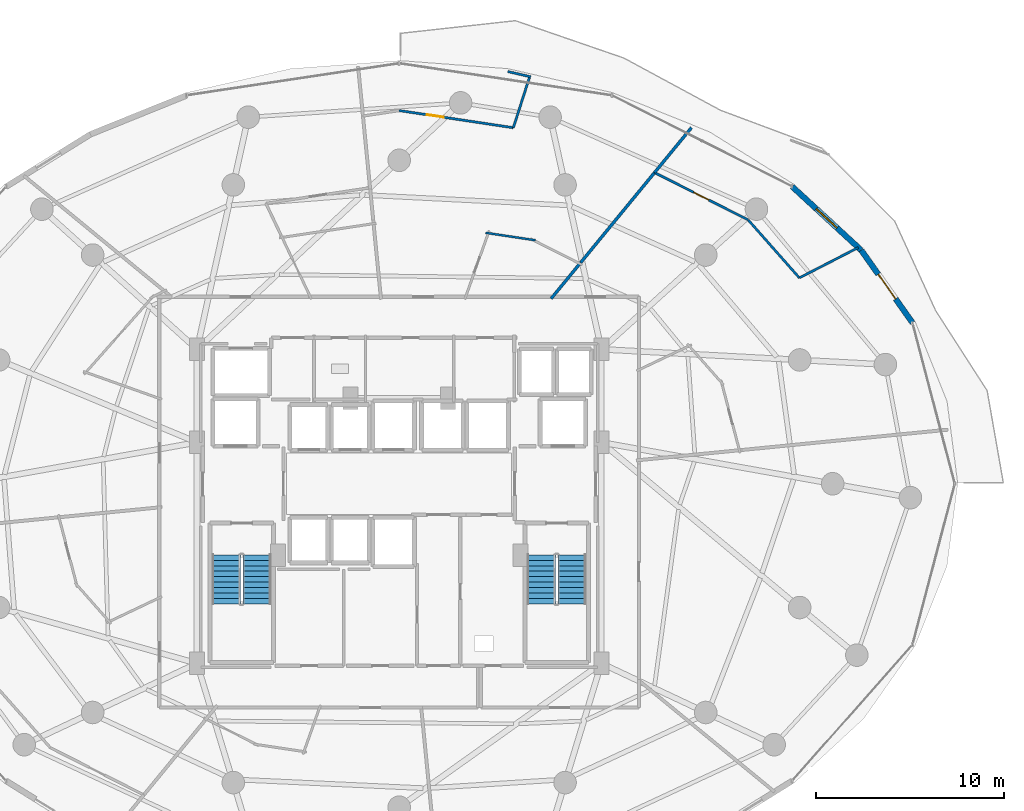
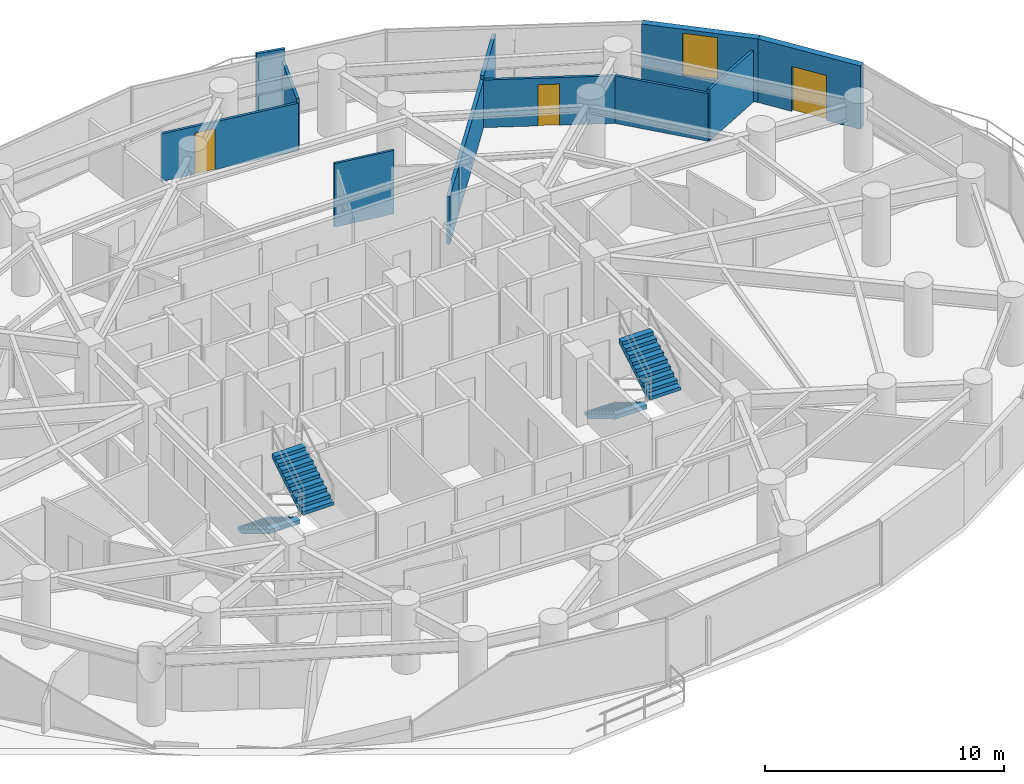
# One storey, part 30 of 33: 12 walls, 4 stair flights, 3 doors, 1 window, 4 openings, 2 elements without a shape of their own.
"""IFC4 building model written with IfcOpenShell, lengths in metres."""

from ifc_helpers import new_model, si_unit, direction, frame, frame_2d, origin, place, context, subcontext, project, spatial, polyline, rectangle, outline, extrude, material, layer, layer_set, type_object, element, fill, aggregate, save


model = new_model("IFC4")

# Units and contexts
model_context = context("Model", 3, precision=1e-05, world=origin(), true_north=direction((0.0, 1.0)))
body_context = subcontext(model_context, "Body", "Model", "MODEL_VIEW")
ifc_project = project(units=[si_unit("LENGTHUNIT", "METRE"), si_unit("AREAUNIT", "SQUARE_METRE"), si_unit("VOLUMEUNIT", "CUBIC_METRE"), si_unit("PLANEANGLEUNIT", "RADIAN"), si_unit("MASSUNIT", "GRAM", prefix="KILO")], contexts=[model_context])

# Site, building, storey
site_placement = place(None, origin())
site = spatial("IfcSite", under=ifc_project, at=site_placement, CompositionType="ELEMENT")
building_placement = place(site_placement, origin())
building = spatial("IfcBuilding", under=site, at=building_placement, Name="Vorneva Point Tower", CompositionType="ELEMENT")
storey_placement = place(building_placement, frame((0.0, 0.0, 59.0)))
storey = spatial("IfcBuildingStorey", under=building, at=storey_placement, Name="L15", CompositionType="ELEMENT", Elevation=59.0)

# Wall, opening, door
ifc_material_1 = material(Name="Precast concrete B50 (C40/50)", Category="concrete")
ifc_layer_1 = layer(ifc_material_1, 0.300048828125)
ifc_layer_set_1 = layer_set([ifc_layer_1], Name="Precast concrete B50 (C40/50)")
wall_type_1 = type_object("IfcWallType", Name="WL-EXT-300", PredefinedType="STANDARD", material=ifc_layer_set_1)
wall_1_placement = place(storey_placement, frame((65.300537109375, 34.552978515625, 0.0), z_axis=(0.0, 0.0, 1.0), x_axis=(-0.577130815624, 0.816651713803, 0.0)))
wall_1 = element("IfcWall", 1, at=wall_1_placement, inside=storey, type_object=wall_type_1, Name="L15 Pale-Metal Facade Spandrel Wall 02.1", PredefinedType="STANDARD", context=body_context, shape_type="SweptSolid", body=[
    extrude(rectangle(XDim=4.7314453125, YDim=0.300048828125, at=frame_2d((2.36572265625, 0.0))), origin(), (0.0, 0.0, 1.0), 3.239990234375),
])
opening_1_placement = place(wall_1_placement, frame((1.56591796875, 0.0, 0.0)))
opening_1 = element("IfcOpeningElement", 2, at=opening_1_placement, cuts=wall_1, Name="Opening BD-01", PredefinedType="OPENING", context=body_context, shape_type="SweptSolid", body=[
    extrude(rectangle(XDim=1.60009765625, YDim=2.300048828125, at=frame_2d((0.800048828125, 1.14990234375))), frame((0.0, 0.1650390625, 0.0), z_axis=(0.0, -1.0, 0.0), x_axis=(1.0, 0.0, 0.0)), (0.0, 0.0, 1.0), 0.329833984375),
])
ifc_material_2 = material(Name="Pale anodised aluminium", Category="aluminium")
door_type_1 = type_object("IfcDoorType", Name="DR-BAL-1600", OperationType="SLIDING_TO_LEFT", PredefinedType="DOOR", material=ifc_material_2)
door_1_placement = place(opening_1_placement, origin())
door_1 = element("IfcDoor", 3, at=door_1_placement, inside=storey, type_object=door_type_1, Name="L15 Balcony Terrace Access Door 02", OperationType="SLIDING_TO_LEFT", OverallHeight=2.300048828125, OverallWidth=1.60009765625, PredefinedType="DOOR", context=body_context, shape_type="SweptSolid", body=[
    extrude(rectangle(XDim=1.60009765625, YDim=2.300048828125, at=frame_2d((0.800048828125, 1.14990234375))), frame((0.0, 0.02490234375, 0.0), z_axis=(0.0, -1.0, 0.0), x_axis=(1.0, 0.0, 0.0)), (0.0, 0.0, 1.0), 0.050048828125),
])
fill(opening_1, door_1)

# Wall, opening, window
wall_2_placement = place(storey_placement, frame((62.56982421875, 38.4169921875, 0.0), z_axis=(0.0, 0.0, 1.0), x_axis=(-0.735342629635, 0.677695519419, 0.0)))
wall_2 = element("IfcWall", 4, at=wall_2_placement, inside=storey, type_object=wall_type_1, Name="L15 Pale-Metal Facade Spandrel Wall 02.2", PredefinedType="STANDARD", context=body_context, shape_type="SweptSolid", body=[
    extrude(rectangle(XDim=4.997314453125, YDim=0.300048828125, at=frame_2d((2.49853515625, 0.0))), origin(), (0.0, 0.0, 1.0), 3.239990234375),
])
opening_2_placement = place(wall_2_placement, frame((1.748779296875, 0.0, 0.85009765625)))
opening_2 = element("IfcOpeningElement", 5, at=opening_2_placement, cuts=wall_2, Name="Opening W-02", PredefinedType="OPENING", context=body_context, shape_type="SweptSolid", body=[
    extrude(rectangle(XDim=1.5, YDim=2.18994140625, at=frame_2d((0.75, 1.094970703125))), frame((0.0, 0.1650390625, 0.0), z_axis=(0.0, -1.0, 0.0), x_axis=(1.0, 0.0, 0.0)), (0.0, 0.0, 1.0), 0.329833984375),
])
ifc_material_3 = material(Name="Double low-e laminated glass IGU", Category="glass")
window_type = type_object("IfcWindowType", Name="WN-HTL-1500", PartitioningType="SINGLE_PANEL", PredefinedType="WINDOW", material=ifc_material_3)
window_placement = place(opening_2_placement, origin())
window = element("IfcWindow", 6, at=window_placement, inside=storey, type_object=window_type, Name="L15 Facade Window 02", OverallHeight=2.18994140625, OverallWidth=1.5, PartitioningType="SINGLE_PANEL", PredefinedType="WINDOW", context=body_context, shape_type="SweptSolid", body=[
    extrude(rectangle(XDim=1.5, YDim=2.18994140625, at=frame_2d((0.75, 1.094970703125))), frame((0.0, 0.030029296875, 0.0), z_axis=(0.0, -1.0, 0.0), x_axis=(1.0, 0.0, 0.0)), (0.0, 0.0, 1.0), 0.06005859375),
])
fill(opening_2, window)

# Walls
ifc_material_4 = material(Name="Fire-rated acoustic gypsum stud partition", Category="gypsum")
ifc_layer_2 = layer(ifc_material_4, 0.110107421875)
ifc_layer_set_2 = layer_set([ifc_layer_2], Name="Fire-rated acoustic gypsum stud partition")
wall_type_2 = type_object("IfcWallType", Name="WL-PART-110", PredefinedType="PARTITIONING", material=ifc_layer_set_2)
wall_3_placement = place(storey_placement, frame((42.599609375, 39.34375, 0.0), z_axis=(0.0, 0.0, 1.0), x_axis=(0.988924954203, -0.148416424141, 0.0)))
element("IfcWall", 7, at=wall_3_placement, inside=storey, type_object=wall_type_2, Name="L15 Interior Partition 057", PredefinedType="PARTITIONING", context=body_context, shape_type="SweptSolid", body=[
    extrude(rectangle(XDim=2.67138671875, YDim=0.110107421875, at=frame_2d((1.335693359375, 0.0))), origin(), (0.0, 0.0, 1.0), 3.239990234375),
])
ifc_layer_3 = layer(ifc_material_4, 0.125)
ifc_layer_set_3 = layer_set([ifc_layer_3], Name="Fire-rated acoustic gypsum stud partition")
wall_type_3 = type_object("IfcWallType", Name="WL-PART-125", PredefinedType="PARTITIONING", material=ifc_layer_set_3)
wall_4_placement = place(storey_placement, frame((59.279052734375, 36.947998046875, 0.0), z_axis=(0.0, 0.0, 1.0), x_axis=(-0.662159063844, 0.749363312532, 0.0)))
element("IfcWall", 8, at=wall_4_placement, inside=storey, type_object=wall_type_3, Name="L15 Interior Partition 048", PredefinedType="PARTITIONING", context=body_context, shape_type="SweptSolid", body=[
    extrude(rectangle(XDim=4.115478515625, YDim=0.125, at=frame_2d((2.0576171875, 0.0))), origin(), (0.0, 0.0, 1.0), 2.431884765625),
])

# Wall, opening, door
wall_5_placement = place(storey_placement, frame((56.553955078125, 40.031982421875, 0.0), z_axis=(0.0, 0.0, 1.0), x_axis=(-0.892518178955, 0.451011419184, 0.0)))
wall_5 = element("IfcWall", 9, at=wall_5_placement, inside=storey, type_object=wall_type_3, Name="L15 Interior Partition 049", PredefinedType="PARTITIONING", context=body_context, shape_type="SweptSolid", body=[
    extrude(rectangle(XDim=5.573974609375, YDim=0.125, at=frame_2d((2.787109375, 0.0))), origin(), (0.0, 0.0, 1.0), 2.431884765625),
])
opening_3_placement = place(wall_5_placement, frame((2.337158203125, 0.0, 0.0)))
opening_3 = element("IfcOpeningElement", 10, at=opening_3_placement, cuts=wall_5, Name="Opening ID-01", PredefinedType="OPENING", context=body_context, shape_type="SweptSolid", body=[
    extrude(rectangle(XDim=0.89990234375, YDim=2.10009765625, at=frame_2d((0.449951171875, 1.050048828125))), frame((0.0, 0.077392578125, 0.0), z_axis=(0.0, -1.0, 0.0), x_axis=(1.0, 0.0, 0.0)), (0.0, 0.0, 1.0), 0.15478515625),
])
ifc_material_5 = material(Name="Engineered oak fire-rated door leaf", Category="wood")
door_type_2 = type_object("IfcDoorType", Name="DR-ROOM-900", OperationType="NOTDEFINED", PredefinedType="DOOR", material=ifc_material_5)
door_2_placement = place(opening_3_placement, origin())
door_2 = element("IfcDoor", 11, at=door_2_placement, inside=storey, type_object=door_type_2, Name="L15 Door Junior Suite L15-01 / Suite Sitting Study L15-01", OperationType="SINGLE_SWING_RIGHT", OverallHeight=2.10009765625, OverallWidth=0.89990234375, PredefinedType="DOOR", context=body_context, shape_type="SweptSolid", body=[
    extrude(rectangle(XDim=0.89990234375, YDim=2.10009765625, at=frame_2d((0.449951171875, 1.050048828125))), frame((0.0, 0.02490234375, 0.0), z_axis=(0.0, -1.0, 0.0), x_axis=(1.0, 0.0, 0.0)), (0.0, 0.0, 1.0), 0.050048828125),
])
fill(opening_3, door_2)

# Walls
wall_6_placement = place(storey_placement, frame((62.409912109375, 38.55908203125, 0.0), z_axis=(0.0, 0.0, 1.0), x_axis=(-0.889180616302, -0.457556369852, 0.0)))
element("IfcWall", 12, at=wall_6_placement, inside=storey, type_object=wall_type_3, Name="L15 Interior Partition 050", PredefinedType="PARTITIONING", context=body_context, shape_type="SweptSolid", body=[
    extrude(rectangle(XDim=3.52099609375, YDim=0.125, at=frame_2d((1.760498046875, 0.0))), origin(), (0.0, 0.0, 1.0), 2.6240234375),
])
wall_7_placement = place(storey_placement, frame((45.0, 47.636962890625, 0.0), z_axis=(0.0, 0.0, 1.0), x_axis=(-0.974635544723, 0.223798022695, 0.0)))
element("IfcWall", 13, at=wall_7_placement, inside=storey, type_object=wall_type_3, Name="L15 Interior Partition 059", PredefinedType="PARTITIONING", context=body_context, shape_type="SweptSolid", body=[
    extrude(rectangle(XDim=1.260009765625, YDim=0.125, at=frame_2d((0.6298828125, 0.0))), origin(), (0.0, 0.0, 1.0), 3.239990234375),
])
wall_8_placement = place(storey_placement, frame((44.94091796875, 47.64990234375, 0.0), z_axis=(0.0, 0.0, 1.0), x_axis=(-0.305331010086, -0.952246278165, 0.0)))
element("IfcWall", 14, at=wall_8_placement, inside=storey, type_object=wall_type_3, Name="L15 Interior Partition 060", PredefinedType="PARTITIONING", context=body_context, shape_type="SweptSolid", body=[
    extrude(rectangle(XDim=2.85546875, YDim=0.125, at=frame_2d((1.427734375, 0.0))), origin(), (0.0, 0.0, 1.0), 2.6240234375),
])

# Wall, opening, door
wall_9_placement = place(storey_placement, frame((44.069091796875, 44.930908203125, 0.0), z_axis=(0.0, 0.0, 1.0), x_axis=(-0.988871191019, 0.148774216759, 0.0)))
wall_9 = element("IfcWall", 15, at=wall_9_placement, inside=storey, type_object=wall_type_3, Name="L15 Interior Partition 061", PredefinedType="PARTITIONING", context=body_context, shape_type="SweptSolid", body=[
    extrude(rectangle(XDim=6.137451171875, YDim=0.125, at=frame_2d((3.06884765625, 0.0))), origin(), (0.0, 0.0, 1.0), 2.431884765625),
])
opening_4_placement = place(wall_9_placement, frame((3.738525390625, 0.0, 0.0)))
opening_4 = element("IfcOpeningElement", 16, at=opening_4_placement, cuts=wall_9, Name="Opening ID-01", PredefinedType="OPENING", context=body_context, shape_type="SweptSolid", body=[
    extrude(rectangle(XDim=0.89990234375, YDim=2.10009765625, at=frame_2d((0.449951171875, 1.050048828125))), frame((0.0, 0.077392578125, 0.0), z_axis=(0.0, -1.0, 0.0), x_axis=(1.0, 0.0, 0.0)), (0.0, 0.0, 1.0), 0.15478515625),
])
door_3_placement = place(opening_4_placement, origin())
door_3 = element("IfcDoor", 17, at=door_3_placement, inside=storey, type_object=door_type_2, Name="L15 Door Executive Suite L15-02 / Suite Sitting Study L15-02", OperationType="SINGLE_SWING_RIGHT", OverallHeight=2.10009765625, OverallWidth=0.89990234375, PredefinedType="DOOR", context=body_context, shape_type="SweptSolid", body=[
    extrude(rectangle(XDim=0.89990234375, YDim=2.10009765625, at=frame_2d((0.449951171875, 1.050048828125))), frame((0.0, 0.02490234375, 0.0), z_axis=(0.0, -1.0, 0.0), x_axis=(1.0, 0.0, 0.0)), (0.0, 0.0, 1.0), 0.050048828125),
])
fill(opening_4, door_3)

# Walls
ifc_layer_4 = layer(ifc_material_4, 0.159912109375)
ifc_layer_set_4 = layer_set([ifc_layer_4], Name="Fire-rated acoustic gypsum stud partition")
wall_type_4 = type_object("IfcWallType", Name="WL-PART-160", PredefinedType="PARTITIONING", material=ifc_layer_set_4)
wall_10_placement = place(storey_placement, frame((51.5791015625, 42.5458984375, 0.0), z_axis=(0.0, 0.0, 1.0), x_axis=(-0.634407686013, -0.772998633846, 0.0)))
element("IfcWall", 18, at=wall_10_placement, inside=storey, type_object=wall_type_4, Name="L15 Interior Partition 051", PredefinedType="PARTITIONING", context=body_context, shape_type="SweptSolid", body=[
    extrude(rectangle(XDim=6.325927734375, YDim=0.159912109375, at=frame_2d((3.1630859375, 0.0))), origin(), (0.0, 0.0, 1.0), 2.431884765625),
])
wall_11_placement = place(storey_placement, frame((47.65478515625, 37.764404296875, 0.0), z_axis=(0.0, 0.0, 1.0), x_axis=(-0.634343688691, -0.773051152653, 0.0)))
element("IfcWall", 19, at=wall_11_placement, inside=storey, type_object=wall_type_4, Name="L15 Interior Partition 052", PredefinedType="PARTITIONING", context=body_context, shape_type="SweptSolid", body=[
    extrude(rectangle(XDim=2.487060546875, YDim=0.159912109375, at=frame_2d((1.24365234375, 0.0))), origin(), (0.0, 0.0, 1.0), 2.431884765625),
])
wall_12_placement = place(storey_placement, frame((53.5400390625, 44.93505859375, 0.0), z_axis=(0.0, 0.0, 1.0), x_axis=(-0.634432805544, -0.772978017313, 0.0)))
element("IfcWall", 20, at=wall_12_placement, inside=storey, type_object=wall_type_4, Name="L15 Interior Partition 055", PredefinedType="PARTITIONING", context=body_context, shape_type="SweptSolid", body=[
    extrude(rectangle(XDim=3.0908203125, YDim=0.159912109375, at=frame_2d((1.54541015625, 0.0))), origin(), (0.0, 0.0, 1.0), 2.6240234375),
])

# Stair, stair flights
ifc_material_6 = material(Name="Concrete B50 (C40/50)", Category="concrete")
stair_type = type_object("IfcStairType", Name="ST-DOG-1500", PredefinedType="HALF_TURN_STAIR", material=ifc_material_6)
stair_1_placement = place(storey_placement, origin())
stair_1 = element("IfcStair", 21, at=stair_1_placement, inside=storey, type_object=stair_type, Name="L15 ST1", PredefinedType="HALF_TURN_STAIR")
stair_flight_type = type_object("IfcStairFlightType", Name="STF-1500", PredefinedType="STRAIGHT", material=ifc_material_6)
stair_flight_1_placement = place(storey_placement, frame((28.800048828125, 22.219970703125, 0.0), z_axis=(0.0, 0.0, 1.0), x_axis=(0.0, -1.0, 0.0)))
stair_flight_1 = element("IfcStairFlight", 22, at=stair_flight_1_placement, type_object=stair_flight_type, Name="ST1 flight 1", NumberOfRisers=10, NumberOfTreads=9, PredefinedType="STRAIGHT", RiserHeight=0.175, TreadLength=0.29, context=body_context, shape_type="SweptSolid", body=[
    extrude(outline(polyline([(0.0, 0.0), (0.0, 0.175048828125), (0.2900390625, 0.175048828125), (0.2900390625, 0.35009765625), (0.580078125, 0.35009765625), (0.580078125, 0.52490234375), (0.8701171875, 0.52490234375), (0.8701171875, 0.699951171875), (1.159912109375, 0.699951171875), (1.159912109375, 0.875), (1.449951171875, 0.875), (1.449951171875, 1.050048828125), (1.739990234375, 1.050048828125), (1.739990234375, 1.22509765625), (2.030029296875, 1.22509765625), (2.030029296875, 1.39990234375), (2.320068359375, 1.39990234375), (2.320068359375, 1.574951171875), (2.610107421875, 1.574951171875), (2.610107421875, 1.75), (2.610107421875, 1.36474609375), (0.34814453125, 0.0), (0.0, 0.0)])), frame((0.0, 0.75, 0.0), z_axis=(0.0, -1.0, 0.0), x_axis=(1.0, 0.0, 0.0)), (0.0, 0.0, 1.0), 1.5),
])
stair_flight_2_placement = place(storey_placement, frame((30.449951171875, 19.610107421875, 1.75), z_axis=(0.0, 0.0, 1.0), x_axis=(0.0, 1.0, 0.0)))
stair_flight_2 = element("IfcStairFlight", 23, at=stair_flight_2_placement, type_object=stair_flight_type, Name="ST1 flight 2", NumberOfRisers=10, NumberOfTreads=9, PredefinedType="STRAIGHT", RiserHeight=0.175, TreadLength=0.29, context=body_context, shape_type="SweptSolid", body=[
    extrude(outline(polyline([(0.0, 0.0), (0.0, 0.175048828125), (0.2900390625, 0.175048828125), (0.2900390625, 0.35009765625), (0.580078125, 0.35009765625), (0.580078125, 0.52490234375), (0.8701171875, 0.52490234375), (0.8701171875, 0.699951171875), (1.159912109375, 0.699951171875), (1.159912109375, 0.875), (1.449951171875, 0.875), (1.449951171875, 1.050048828125), (1.739990234375, 1.050048828125), (1.739990234375, 1.22509765625), (2.030029296875, 1.22509765625), (2.030029296875, 1.39990234375), (2.320068359375, 1.39990234375), (2.320068359375, 1.574951171875), (2.610107421875, 1.574951171875), (2.610107421875, 1.75), (2.610107421875, 1.36474609375), (0.34814453125, 0.0), (0.0, 0.0)])), frame((0.0, 0.75, 0.0), z_axis=(0.0, -1.0, 0.0), x_axis=(1.0, 0.0, 0.0)), (0.0, 0.0, 1.0), 1.5),
])
aggregate(stair_1, [stair_flight_1, stair_flight_2])

stair_2_placement = place(storey_placement, origin())
stair_2 = element("IfcStair", 24, at=stair_2_placement, inside=storey, type_object=stair_type, Name="L15 ST2", PredefinedType="HALF_TURN_STAIR")
stair_flight_3_placement = place(storey_placement, frame((45.550048828125, 22.219970703125, 0.0), z_axis=(0.0, 0.0, 1.0), x_axis=(0.0, -1.0, 0.0)))
stair_flight_3 = element("IfcStairFlight", 25, at=stair_flight_3_placement, type_object=stair_flight_type, Name="ST2 flight 1", NumberOfRisers=10, NumberOfTreads=9, PredefinedType="STRAIGHT", RiserHeight=0.175, TreadLength=0.29, context=body_context, shape_type="SweptSolid", body=[
    extrude(outline(polyline([(0.0, 0.0), (0.0, 0.175048828125), (0.2900390625, 0.175048828125), (0.2900390625, 0.35009765625), (0.580078125, 0.35009765625), (0.580078125, 0.52490234375), (0.8701171875, 0.52490234375), (0.8701171875, 0.699951171875), (1.159912109375, 0.699951171875), (1.159912109375, 0.875), (1.449951171875, 0.875), (1.449951171875, 1.050048828125), (1.739990234375, 1.050048828125), (1.739990234375, 1.22509765625), (2.030029296875, 1.22509765625), (2.030029296875, 1.39990234375), (2.320068359375, 1.39990234375), (2.320068359375, 1.574951171875), (2.610107421875, 1.574951171875), (2.610107421875, 1.75), (2.610107421875, 1.36474609375), (0.34814453125, 0.0), (0.0, 0.0)])), frame((0.0, 0.75, 0.0), z_axis=(0.0, -1.0, 0.0), x_axis=(1.0, 0.0, 0.0)), (0.0, 0.0, 1.0), 1.5),
])
stair_flight_4_placement = place(storey_placement, frame((47.199951171875, 19.610107421875, 1.75), z_axis=(0.0, 0.0, 1.0), x_axis=(0.0, 1.0, 0.0)))
stair_flight_4 = element("IfcStairFlight", 26, at=stair_flight_4_placement, type_object=stair_flight_type, Name="ST2 flight 2", NumberOfRisers=10, NumberOfTreads=9, PredefinedType="STRAIGHT", RiserHeight=0.175, TreadLength=0.29, context=body_context, shape_type="SweptSolid", body=[
    extrude(outline(polyline([(0.0, 0.0), (0.0, 0.175048828125), (0.2900390625, 0.175048828125), (0.2900390625, 0.35009765625), (0.580078125, 0.35009765625), (0.580078125, 0.52490234375), (0.8701171875, 0.52490234375), (0.8701171875, 0.699951171875), (1.159912109375, 0.699951171875), (1.159912109375, 0.875), (1.449951171875, 0.875), (1.449951171875, 1.050048828125), (1.739990234375, 1.050048828125), (1.739990234375, 1.22509765625), (2.030029296875, 1.22509765625), (2.030029296875, 1.39990234375), (2.320068359375, 1.39990234375), (2.320068359375, 1.574951171875), (2.610107421875, 1.574951171875), (2.610107421875, 1.75), (2.610107421875, 1.36474609375), (0.34814453125, 0.0), (0.0, 0.0)])), frame((0.0, 0.75, 0.0), z_axis=(0.0, -1.0, 0.0), x_axis=(1.0, 0.0, 0.0)), (0.0, 0.0, 1.0), 1.5),
])
aggregate(stair_2, [stair_flight_3, stair_flight_4])

save(model, "model.ifc")
